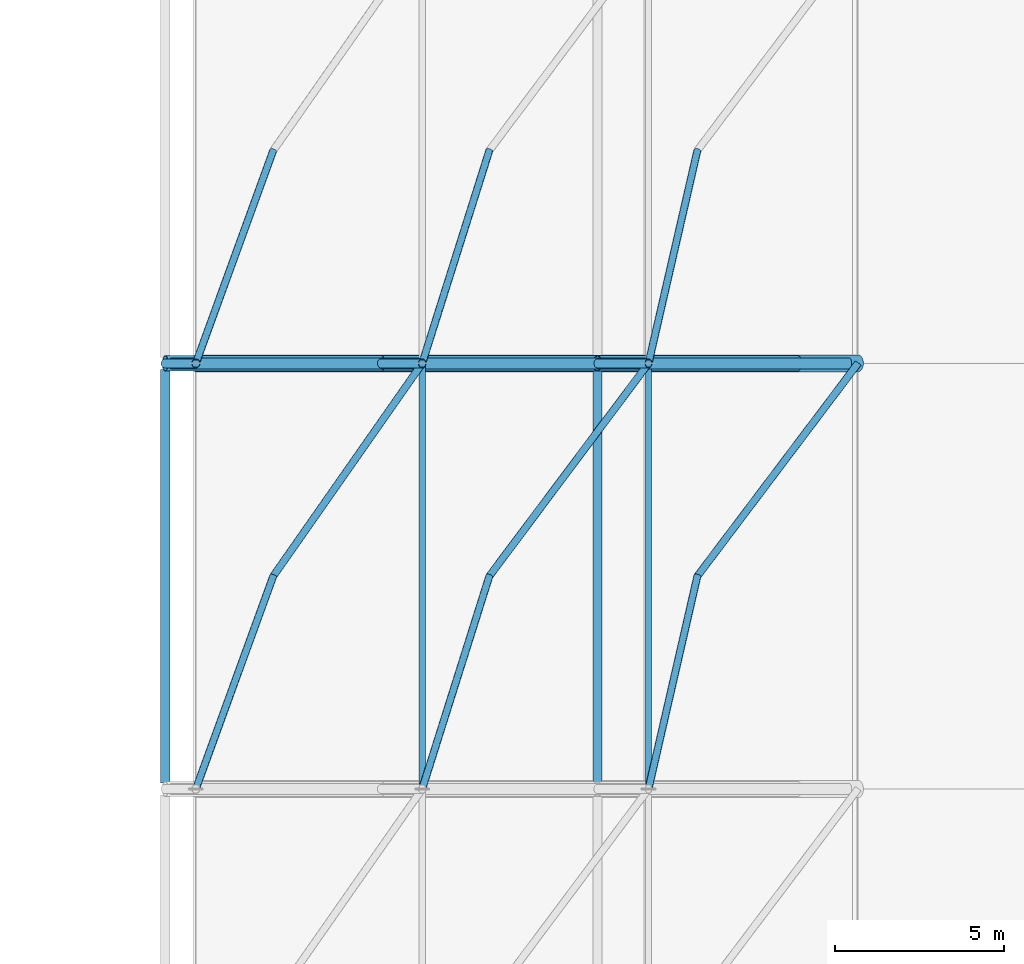
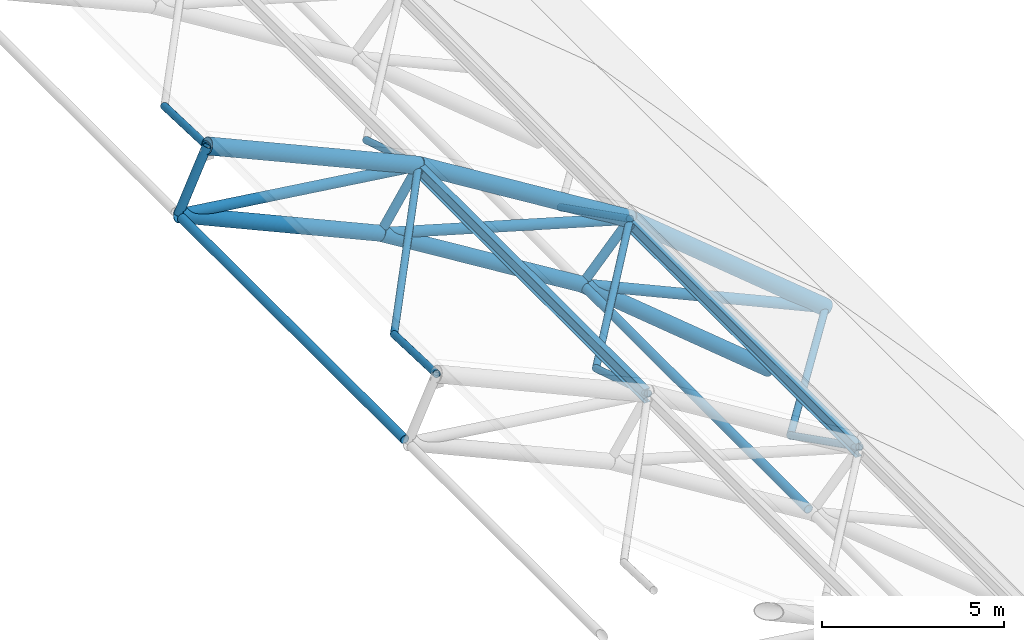
# One storey, part 12 of 42: 25 members.
"""IFC4 building model written with IfcOpenShell, lengths in metres."""

from ifc_helpers import new_model, si_unit, derived_unit, direction, frame, origin, origin_2d, place, context, subcontext, project, spatial, hollow_circle, i_section, extrude, material, material_profile, profile_set, type_object, element, save


model = new_model("IFC4")

# Units and contexts
model_context = context("Model", 3, precision=1e-05, world=origin(), true_north=direction((0.0, 1.0)))
body_context = subcontext(model_context, "Body", "Model", "MODEL_VIEW")
ifc_project = project(units=[si_unit("LENGTHUNIT", "METRE"), si_unit("AREAUNIT", "SQUARE_METRE"), si_unit("VOLUMEUNIT", "CUBIC_METRE"), si_unit("PLANEANGLEUNIT", "RADIAN"), si_unit("MASSUNIT", "GRAM", prefix="KILO"), derived_unit("THERMALTRANSMITTANCEUNIT", [(si_unit("MASSUNIT", "GRAM", prefix="KILO"), 1), (si_unit("TIMEUNIT", "SECOND"), -3), (si_unit("THERMODYNAMICTEMPERATUREUNIT", "KELVIN"), -1)])], contexts=[model_context])

# Site, building, storey
site_placement = place(None, origin())
site = spatial("IfcSite", under=ifc_project, at=site_placement, CompositionType="ELEMENT")
building_placement = place(site_placement, origin())
building = spatial("IfcBuilding", under=site, at=building_placement, Name="Valcora Ridge Arena", CompositionType="ELEMENT")
storey_placement = place(building_placement, frame((0.0, 0.0, 26.39990234375)))
storey = spatial("IfcBuildingStorey", under=building, at=storey_placement, Name="L05", CompositionType="ELEMENT", Elevation=26.39990234375)

# Members
ifc_material_1 = material(Name="Steel ASTM A572 Grade 50", Category="steel")
ifc_material_profile_1 = material_profile(ifc_material_1, i_section(OverallWidth=0.18994140625, OverallDepth=0.45703125, WebThickness=0.009033203125, FlangeThickness=0.014404296875, FilletRadius=0.014892578125, at=origin_2d()), Name="W18X50")
ifc_profile_set_1 = profile_set([ifc_material_profile_1], Name="Steel ASTM A572 Grade 50")
member_type_1 = type_object("IfcMemberType", Name="TY-MEMBER-PUR-W18X50", PredefinedType="PURLIN", material=ifc_profile_set_1)
for number, where, z_axis, x_axis, name in (
    (1, (82.60009765625, 45.25, 7.81884765625), (0.0, 1.0, 0.0), (-1.0, 0.0, 0.0), "PUR-W18X50 SF-PR-PUR-W18X50-0034"),
    (2, (89.300048828125, 45.25, 3.654296875), (0.0, 1.0, 0.0), (-1.0, 0.0, 0.0), "PUR-W18X50 SF-PR-PUR-W18X50-0035"),
):
    element("IfcMember", number, at=place(storey_placement, frame(where, z_axis=z_axis, x_axis=x_axis)), inside=storey, type_object=member_type_1, Name=name, PredefinedType="PURLIN", context=body_context, shape_type="SweptSolid", body=[
        extrude(i_section(OverallWidth=0.18994140625, OverallDepth=0.45703125, WebThickness=0.009033203125, FlangeThickness=0.014404296875, FilletRadius=0.014892578125, at=origin_2d()), origin(), (0.0, 0.0, 1.0), 12.5),
    ])
ifc_material_2 = material(Name="Steel ASTM A500 Grade C", Category="steel")
ifc_material_profile_2 = material_profile(ifc_material_2, hollow_circle(Radius=0.228515625, WallThickness=0.01611328125, at=origin_2d()), Name="CHS457X16")
ifc_profile_set_2 = profile_set([ifc_material_profile_2], Name="Steel ASTM A500 Grade C")
member_type_2 = type_object("IfcMemberType", Name="TY-MEMBER-SFBC-457", PredefinedType="CHORD", material=ifc_profile_set_2)
member_1_placement = place(storey_placement, frame((74.99169921875, 57.800048828125, 8.93994140625), z_axis=(0.912752630083, 0.0, -0.408512712502), x_axis=(0.0, 1.0, 0.0)))
element("IfcMember", 3, at=member_1_placement, inside=storey, type_object=member_type_2, Name="SFBC-457 Space Frame Bottom Chord", PredefinedType="CHORD", context=body_context, shape_type="SweptSolid", body=[
    extrude(hollow_circle(Radius=0.228515625, WallThickness=0.01611328125, at=origin_2d()), origin(), (0.0, 0.0, 1.0), 7.008544921875),
])
member_2_placement = place(storey_placement, frame((81.388671875, 57.800048828125, 6.076904296875), z_axis=(0.850850087791, 0.0, -0.525408534481), x_axis=(0.0, 1.0, 0.0)))
element("IfcMember", 4, at=member_2_placement, inside=storey, type_object=member_type_2, Name="SFBC-457 Space Frame Bottom Chord", PredefinedType="CHORD", context=body_context, shape_type="SweptSolid", body=[
    extrude(hollow_circle(Radius=0.228515625, WallThickness=0.01611328125, at=origin_2d()), origin(), (0.0, 0.0, 1.0), 7.518310546875),
])
member_3_placement = place(storey_placement, frame((87.78564453125, 57.800048828125, 2.126708984375), z_axis=(0.770105368474, 0.0, -0.637916704161), x_axis=(0.0, 1.0, 0.0)))
element("IfcMember", 5, at=member_3_placement, inside=storey, type_object=member_type_2, Name="SFBC-457 Space Frame Bottom Chord", PredefinedType="CHORD", context=body_context, shape_type="SweptSolid", body=[
    extrude(hollow_circle(Radius=0.228515625, WallThickness=0.01611328125, at=origin_2d()), origin(), (0.0, 0.0, 1.0), 7.686767578125),
])
ifc_material_profile_3 = material_profile(ifc_material_2, hollow_circle(Radius=0.136474609375, WallThickness=0.012451171875, at=origin_2d()), Name="CHS273X12")
ifc_profile_set_3 = profile_set([ifc_material_profile_3], Name="Steel ASTM A500 Grade C")
member_type_3 = type_object("IfcMemberType", Name="TY-MEMBER-SFBT-273", PredefinedType="STRUT", material=ifc_profile_set_3)
for number, where, z_axis, x_axis, name in (
    (6, (74.99169921875, 45.3798828125, 8.93994140625), (0.0, 1.0, 0.0), (-1.0, 0.0, 0.0), "SFBT-273 Space Frame Bottom Strut"),
    (7, (87.78564453125, 45.3798828125, 2.126708984375), (0.0, 1.0, 0.0), (-1.0, 0.0, 0.0), "SFBT-273 Space Frame Bottom Strut"),
):
    element("IfcMember", number, at=place(storey_placement, frame(where, z_axis=z_axis, x_axis=x_axis)), inside=storey, type_object=member_type_3, Name=name, PredefinedType="STRUT", context=body_context, shape_type="SweptSolid", body=[
        extrude(hollow_circle(Radius=0.136474609375, WallThickness=0.012451171875, at=origin_2d()), origin(), (0.0, 0.0, 1.0), 12.240234375),
    ])
ifc_material_profile_4 = material_profile(ifc_material_2, hollow_circle(Radius=0.136474609375, WallThickness=0.012451171875, at=origin_2d()), Name="CHS273X12")
ifc_profile_set_4 = profile_set([ifc_material_profile_4], Name="Steel ASTM A500 Grade C")
member_type_4 = type_object("IfcMemberType", Name="TY-MEMBER-SFKP-273", PredefinedType="POST", material=ifc_profile_set_4)
member_4_placement = place(storey_placement, frame((74.99169921875, 57.800048828125, 8.93994140625), z_axis=(0.415865435042, 0.0, 0.909426159695), x_axis=(0.0, 1.0, 0.0)))
element("IfcMember", 8, at=member_4_placement, inside=storey, type_object=member_type_4, Name="SFKP-273 Space Frame King Post", PredefinedType="POST", context=body_context, shape_type="SweptSolid", body=[
    extrude(hollow_circle(Radius=0.136474609375, WallThickness=0.012451171875, at=origin_2d()), origin(), (0.0, 0.0, 1.0), 2.183837890625),
])
member_5_placement = place(storey_placement, frame((81.388671875, 57.800048828125, 6.076904296875), z_axis=(0.547701322944, 0.0, 0.836673927432), x_axis=(0.0, 1.0, 0.0)))
element("IfcMember", 9, at=member_5_placement, inside=storey, type_object=member_type_4, Name="SFKP-273 Space Frame King Post", PredefinedType="POST", context=body_context, shape_type="SweptSolid", body=[
    extrude(hollow_circle(Radius=0.136474609375, WallThickness=0.012451171875, at=origin_2d()), origin(), (0.0, 0.0, 1.0), 2.2119140625),
])
member_6_placement = place(storey_placement, frame((87.78564453125, 57.800048828125, 2.126708984375), z_axis=(0.673229018622, 0.0, 0.739434032544), x_axis=(0.0, 1.0, 0.0)))
element("IfcMember", 10, at=member_6_placement, inside=storey, type_object=member_type_4, Name="SFKP-273 Space Frame King Post", PredefinedType="POST", context=body_context, shape_type="SweptSolid", body=[
    extrude(hollow_circle(Radius=0.136474609375, WallThickness=0.012451171875, at=origin_2d()), origin(), (0.0, 0.0, 1.0), 2.24951171875),
])
ifc_material_profile_5 = material_profile(ifc_material_2, hollow_circle(Radius=0.109619140625, WallThickness=0.010009765625, at=origin_2d()), Name="CHS219X10")
ifc_profile_set_5 = profile_set([ifc_material_profile_5], Name="Steel ASTM A500 Grade C")
member_type_5 = type_object("IfcMemberType", Name="TY-MEMBER-SFST-219", PredefinedType="STRUT", material=ifc_profile_set_5)
member_7_placement = place(storey_placement, frame((78.190185546875, 51.5, 7.631103515625), z_axis=(-0.306620501185, -0.843443346453, 0.441120379916), x_axis=(0.939824257237, -0.341658258366, 0.0)))
element("IfcMember", 11, at=member_7_placement, inside=storey, type_object=member_type_5, Name="SFST-219 Space Frame Tie Strut", PredefinedType="STRUT", context=body_context, shape_type="SweptSolid", body=[
    extrude(hollow_circle(Radius=0.109619140625, WallThickness=0.010009765625, at=origin_2d()), origin(), (0.0, 0.0, 1.0), 7.469482421875),
])
member_8_placement = place(storey_placement, frame((78.190185546875, 51.5, 7.631103515625), z_axis=(0.573026254478, 0.818631594796, 0.038512643134), x_axis=(-0.819239377872, 0.573451690855, 0.0)))
element("IfcMember", 12, at=member_8_placement, inside=storey, type_object=member_type_5, Name="SFST-219 Space Frame Tie Strut", PredefinedType="STRUT", context=body_context, shape_type="SweptSolid", body=[
    extrude(hollow_circle(Radius=0.109619140625, WallThickness=0.010009765625, at=origin_2d()), origin(), (0.0, 0.0, 1.0), 7.69580078125),
])
member_9_placement = place(storey_placement, frame((84.587158203125, 51.5, 4.253173828125), z_axis=(-0.262870834688, -0.833441686831, 0.486080115745), x_axis=(0.953688172785, -0.300797056318, 0.0)))
element("IfcMember", 13, at=member_9_placement, inside=storey, type_object=member_type_5, Name="SFST-219 Space Frame Tie Strut", PredefinedType="STRUT", context=body_context, shape_type="SweptSolid", body=[
    extrude(hollow_circle(Radius=0.109619140625, WallThickness=0.010009765625, at=origin_2d()), origin(), (0.0, 0.0, 1.0), 7.55908203125),
])
member_10_placement = place(storey_placement, frame((84.587158203125, 51.5, 4.253173828125), z_axis=(0.597976417998, 0.799356685994, -0.058763016211), x_axis=(-0.800740396706, 0.599011533347, 0.0)))
element("IfcMember", 14, at=member_10_placement, inside=storey, type_object=member_type_5, Name="SFST-219 Space Frame Tie Strut", PredefinedType="STRUT", context=body_context, shape_type="SweptSolid", body=[
    extrude(hollow_circle(Radius=0.109619140625, WallThickness=0.010009765625, at=origin_2d()), origin(), (0.0, 0.0, 1.0), 7.88134765625),
])
member_11_placement = place(storey_placement, frame((90.74560546875, 51.5, -0.150390625), z_axis=(-0.190954714131, -0.832221989215, 0.520521716951), x_axis=(0.974671803023, -0.223640059899, 0.0)))
element("IfcMember", 15, at=member_11_placement, inside=storey, type_object=member_type_5, Name="SFST-219 Space Frame Tie Strut", PredefinedType="STRUT", context=body_context, shape_type="SweptSolid", body=[
    extrude(hollow_circle(Radius=0.109619140625, WallThickness=0.010009765625, at=origin_2d()), origin(), (0.0, 0.0, 1.0), 7.570068359375),
])
member_12_placement = place(storey_placement, frame((90.74560546875, 51.5, -0.150390625), z_axis=(0.595586548239, 0.789211814589, -0.149737688209), x_axis=(-0.798211038929, 0.602377902426, 0.0)))
element("IfcMember", 16, at=member_12_placement, inside=storey, type_object=member_type_5, Name="SFST-219 Space Frame Tie Strut", PredefinedType="STRUT", context=body_context, shape_type="SweptSolid", body=[
    extrude(hollow_circle(Radius=0.109619140625, WallThickness=0.010009765625, at=origin_2d()), origin(), (0.0, 0.0, 1.0), 7.982666015625),
])
member_13_placement = place(storey_placement, frame((78.190185546875, 64.10009765625, 7.631103515625), z_axis=(-0.306620501185, -0.843443346453, 0.441120379916), x_axis=(0.939824257237, -0.341658258366, 0.0)))
element("IfcMember", 17, at=member_13_placement, inside=storey, type_object=member_type_5, Name="SFST-219 Space Frame Tie Strut", PredefinedType="STRUT", context=body_context, shape_type="SweptSolid", body=[
    extrude(hollow_circle(Radius=0.109619140625, WallThickness=0.010009765625, at=origin_2d()), origin(), (0.0, 0.0, 1.0), 7.469482421875),
])
member_14_placement = place(storey_placement, frame((84.587158203125, 64.10009765625, 4.253173828125), z_axis=(-0.262870834688, -0.833441686831, 0.486080115745), x_axis=(0.953688172785, -0.300797056318, 0.0)))
element("IfcMember", 18, at=member_14_placement, inside=storey, type_object=member_type_5, Name="SFST-219 Space Frame Tie Strut", PredefinedType="STRUT", context=body_context, shape_type="SweptSolid", body=[
    extrude(hollow_circle(Radius=0.109619140625, WallThickness=0.010009765625, at=origin_2d()), origin(), (0.0, 0.0, 1.0), 7.55908203125),
])
member_15_placement = place(storey_placement, frame((90.74560546875, 64.10009765625, -0.150390625), z_axis=(-0.190954714131, -0.832221989215, 0.520521716951), x_axis=(0.974671803023, -0.223640059899, 0.0)))
element("IfcMember", 19, at=member_15_placement, inside=storey, type_object=member_type_5, Name="SFST-219 Space Frame Tie Strut", PredefinedType="STRUT", context=body_context, shape_type="SweptSolid", body=[
    extrude(hollow_circle(Radius=0.109619140625, WallThickness=0.010009765625, at=origin_2d()), origin(), (0.0, 0.0, 1.0), 7.570068359375),
])
ifc_material_profile_6 = material_profile(ifc_material_2, hollow_circle(Radius=0.25390625, WallThickness=0.01611328125, at=origin_2d()), Name="CHS508X16")
ifc_profile_set_6 = profile_set([ifc_material_profile_6], Name="Steel ASTM A500 Grade C")
member_type_6 = type_object("IfcMemberType", Name="TY-MEMBER-SFTC-508", PredefinedType="CHORD", material=ifc_profile_set_6)
member_16_placement = place(storey_placement, frame((75.89990234375, 57.800048828125, 10.926025390625), z_axis=(0.912763432327, 0.0, -0.408488575858), x_axis=(0.0, 1.0, 0.0)))
element("IfcMember", 20, at=member_16_placement, inside=storey, type_object=member_type_6, Name="SFTC-508 Space Frame Top Chord", PredefinedType="CHORD", context=body_context, shape_type="SweptSolid", body=[
    extrude(hollow_circle(Radius=0.25390625, WallThickness=0.01611328125, at=origin_2d()), origin(), (0.0, 0.0, 1.0), 7.340576171875),
])
member_17_placement = place(storey_placement, frame((82.60009765625, 57.800048828125, 7.927490234375), z_axis=(0.850840802089, 0.0, -0.525423571512), x_axis=(0.0, 1.0, 0.0)))
element("IfcMember", 21, at=member_17_placement, inside=storey, type_object=member_type_6, Name="SFTC-508 Space Frame Top Chord", PredefinedType="CHORD", context=body_context, shape_type="SweptSolid", body=[
    extrude(hollow_circle(Radius=0.25390625, WallThickness=0.01611328125, at=origin_2d()), origin(), (0.0, 0.0, 1.0), 7.87451171875),
])
member_18_placement = place(storey_placement, frame((89.300048828125, 57.800048828125, 3.7900390625), z_axis=(0.770104559296, 0.0, -0.637917681014), x_axis=(0.0, 1.0, 0.0)))
element("IfcMember", 22, at=member_18_placement, inside=storey, type_object=member_type_6, Name="SFTC-508 Space Frame Top Chord", PredefinedType="CHORD", context=body_context, shape_type="SweptSolid", body=[
    extrude(hollow_circle(Radius=0.25390625, WallThickness=0.01611328125, at=origin_2d()), origin(), (0.0, 0.0, 1.0), 8.05078125),
])
ifc_material_profile_7 = material_profile(ifc_material_2, hollow_circle(Radius=0.161865234375, WallThickness=0.012451171875, at=origin_2d()), Name="CHS323X12")
ifc_profile_set_7 = profile_set([ifc_material_profile_7], Name="Steel ASTM A500 Grade C")
member_type_7 = type_object("IfcMemberType", Name="TY-MEMBER-SFWB-323", PredefinedType="BRACE", material=ifc_profile_set_7)
member_19_placement = place(storey_placement, frame((75.150146484375, 57.800048828125, 8.918701171875), z_axis=(0.99126352177, 0.0, -0.131896286561), x_axis=(0.0, 1.0, 0.0)))
element("IfcMember", 23, at=member_19_placement, inside=storey, type_object=member_type_7, Name="SFWB-323 Space Frame Diagonal Brace", PredefinedType="BRACE", context=body_context, shape_type="SweptSolid", body=[
    extrude(hollow_circle(Radius=0.161865234375, WallThickness=0.012451171875, at=origin_2d()), origin(), (0.0, 0.0, 1.0), 7.235595703125),
])
member_20_placement = place(storey_placement, frame((81.542236328125, 57.800048828125, 6.03271484375), z_axis=(0.960667219721, 0.0, -0.277702165915), x_axis=(0.0, 1.0, 0.0)))
element("IfcMember", 24, at=member_20_placement, inside=storey, type_object=member_type_7, Name="SFWB-323 Space Frame Diagonal Brace", PredefinedType="BRACE", context=body_context, shape_type="SweptSolid", body=[
    extrude(hollow_circle(Radius=0.161865234375, WallThickness=0.012451171875, at=origin_2d()), origin(), (0.0, 0.0, 1.0), 7.79541015625),
])
member_21_placement = place(storey_placement, frame((87.931396484375, 57.800048828125, 2.060791015625), z_axis=(0.911895871197, 0.0, -0.410421636971), x_axis=(0.0, 1.0, 0.0)))
element("IfcMember", 25, at=member_21_placement, inside=storey, type_object=member_type_7, Name="SFWB-323 Space Frame Diagonal Brace", PredefinedType="BRACE", context=body_context, shape_type="SweptSolid", body=[
    extrude(hollow_circle(Radius=0.161865234375, WallThickness=0.012451171875, at=origin_2d()), origin(), (0.0, 0.0, 1.0), 8.019775390625),
])

save(model, "model.ifc")
